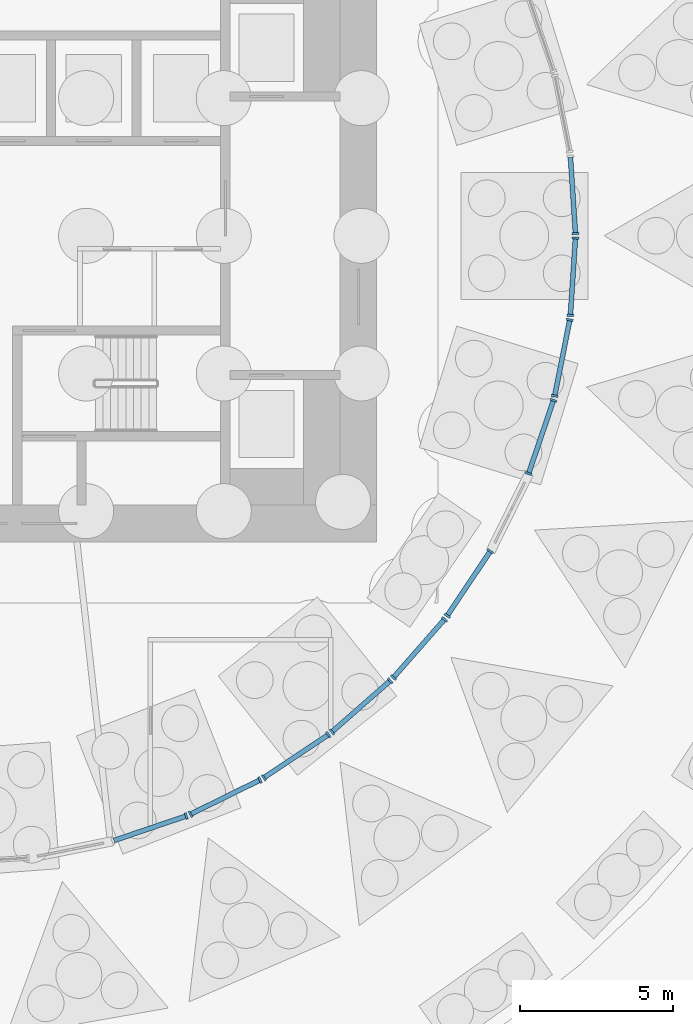
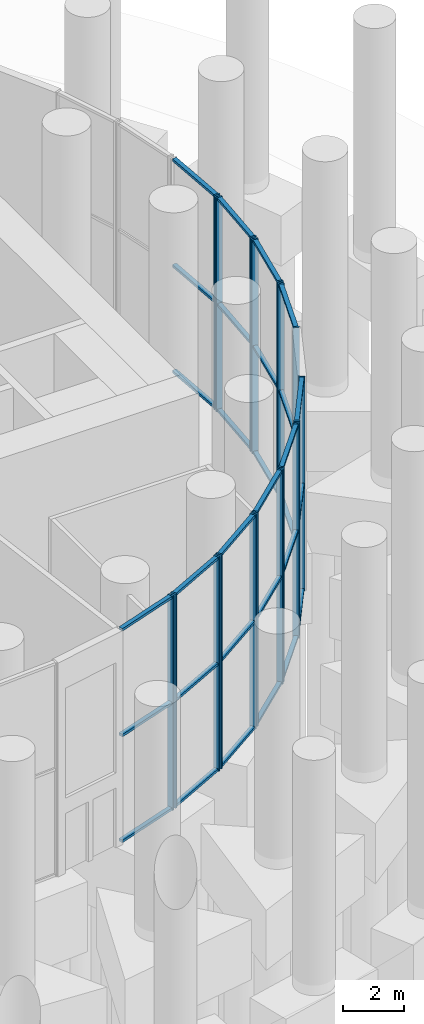
# One storey, part 7 of 20: 48 members, 10 elements without a shape of their own.
"""IFC4 building model written with IfcOpenShell, lengths in metres."""

import ifcopenshell
import ifcopenshell.guid

model = None  # the IFC model being written
_history = None  # IfcOwnerHistory: only IFC2X3 demands one
_inside = {}  # id of a spatial element -> (the spatial element, [elements in it])
_under = {}  # id of a project, library or spatial element -> (it, [spatial elements below it])
_declared = {}  # id of a project -> (the project, [libraries it declares])
_typed = {}  # id of a type object -> (the type object, [elements of that type])
_made_of = {}  # id of a material, layer set ... -> (it, [elements and type objects made of it])


def new_model(schema):
    """Start an empty IFC model of exactly this schema.

    Asked for "IFC4X3", IfcOpenShell would pick the latest addendum, in which some entities
    have other attributes; the version numbers below select the first issue.
    IFC2X3 requires an IfcOwnerHistory on every rooted entity: one is made here for all.
    """
    global model, _history
    if schema == "IFC4X3":
        model = ifcopenshell.file(schema_version=(4, 3, 0, 0))
    else:
        model = ifcopenshell.file(schema=schema)
    _inside.clear()
    _under.clear()
    _declared.clear()
    _typed.clear()
    _made_of.clear()
    _history = None
    if model.schema == "IFC2X3":
        org = make("IfcOrganization", Name="unknown")
        user = make(
            "IfcPersonAndOrganization",
            ThePerson=make("IfcPerson", FamilyName="unknown"),
            TheOrganization=org,
        )
        app = make(
            "IfcApplication",
            ApplicationDeveloper=org,
            Version="unknown",
            ApplicationFullName="unknown",
            ApplicationIdentifier="unknown",
        )
        _history = make(
            "IfcOwnerHistory",
            OwningUser=user,
            OwningApplication=app,
            ChangeAction="ADDED",
            CreationDate=0,
        )
    return model


def make(cls, **values):
    """One entity of the class cls with the attributes given. An attribute that is None is left unset."""
    return model.create_entity(
        cls, **{name: value for name, value in values.items() if value is not None}
    )


def rooted(cls, **values):
    """An entity with a GlobalId (a new one), such as an element, a storey or a relation."""
    return make(cls, GlobalId=ifcopenshell.guid.new(), OwnerHistory=_history, **values)


def si_unit(unit_type, name, prefix=None):
    """IfcSIUnit, for example si_unit("LENGTHUNIT", "METRE", prefix="MILLI")."""
    return make("IfcSIUnit", UnitType=unit_type, Prefix=prefix, Name=name)


def assignment(units):
    """IfcUnitAssignment: the units of a project."""
    return None if units is None else make("IfcUnitAssignment", Units=units)


def point(xyz):
    """IfcCartesianPoint."""
    return None if xyz is None else make("IfcCartesianPoint", Coordinates=xyz)


def direction(xyz):
    """IfcDirection."""
    return None if xyz is None else make("IfcDirection", DirectionRatios=xyz)


def frame(location, z_axis=None, x_axis=None):
    """IfcAxis2Placement3D, a coordinate frame: its origin and axes. An axis left out is left unset."""
    return make(
        "IfcAxis2Placement3D",
        Location=point(location),
        Axis=direction(z_axis),
        RefDirection=direction(x_axis),
    )


def frame_2d(location, x_axis=None):
    """IfcAxis2Placement2D, a coordinate frame in the plane: its origin and x axis."""
    return make(
        "IfcAxis2Placement2D", Location=point(location), RefDirection=direction(x_axis)
    )


def origin():
    """The frame at (0, 0, 0) with its axes left unset."""
    return frame((0.0, 0.0, 0.0))


def origin_2d():
    """The frame at (0, 0) in the plane with its x axis left unset."""
    return frame_2d((0.0, 0.0))


def place(relative_to, where):
    """IfcLocalPlacement: puts the frame where relative to a parent placement (None: the world)."""
    return make(
        "IfcLocalPlacement", PlacementRelTo=relative_to, RelativePlacement=where
    )


def context(
    kind, dimensions, precision=None, world=None, true_north=None, identifier=None
):
    """IfcGeometricRepresentationContext, for example the 3D "Model" context."""
    return make(
        "IfcGeometricRepresentationContext",
        ContextIdentifier=identifier,
        ContextType=kind,
        CoordinateSpaceDimension=dimensions,
        Precision=precision,
        WorldCoordinateSystem=world,
        TrueNorth=true_north,
    )


def subcontext(parent, identifier, kind, view, scale=None):
    """IfcGeometricRepresentationSubContext, for example "Body" below "Model"."""
    return make(
        "IfcGeometricRepresentationSubContext",
        ContextIdentifier=identifier,
        ContextType=kind,
        ParentContext=parent,
        TargetScale=scale,
        TargetView=view,
    )


def project(units=None, contexts=None):
    """IfcProject with its units and contexts."""
    return rooted(
        "IfcProject",
        Name="project",
        RepresentationContexts=contexts,
        UnitsInContext=assignment(units),
    )


def spatial(cls, under=None, at=None, **own):
    """A site, building, storey or space (cls), placed at a placement, below another one or the project."""
    s = rooted(cls, ObjectPlacement=at, **own)
    if under is not None:
        _under.setdefault(under.id(), (under, []))[1].append(s)
    return s


def profile(cls, at=None, kind="AREA", **sizes):
    """A parametric profile (cls). Its sizes go by their IFC names, for example OverallWidth=200.0."""
    return make(cls, ProfileType=kind, Position=at, **sizes)


def rectangle(**sizes):
    """IfcRectangleProfileDef."""
    return profile("IfcRectangleProfileDef", **sizes)


def extrude(swept, where, along, depth):
    """IfcExtrudedAreaSolid: the profile swept, set in the frame where, extruded along a direction by depth."""
    return make(
        "IfcExtrudedAreaSolid",
        SweptArea=swept,
        Position=where,
        ExtrudedDirection=direction(along),
        Depth=depth,
    )


def shape(context_of_items, identifier, shape_type, items):
    """IfcShapeRepresentation: the items that make up one representation, for example the "Body"."""
    return make(
        "IfcShapeRepresentation",
        ContextOfItems=context_of_items,
        RepresentationIdentifier=identifier,
        RepresentationType=shape_type,
        Items=items,
    )


def material(Name=None, Category=None):
    """IfcMaterial."""
    return make("IfcMaterial", Name=Name, Category=Category)


def material_profile(
    of_material, cross_section, Name=None, Category=None, Priority=None
):
    """IfcMaterialProfile: a cross section and its material."""
    return make(
        "IfcMaterialProfile",
        Name=Name,
        Material=of_material,
        Profile=cross_section,
        Priority=Priority,
        Category=Category,
    )


def profile_set(profiles, Name=None, composite=None):
    """IfcMaterialProfileSet."""
    return make(
        "IfcMaterialProfileSet",
        Name=Name,
        MaterialProfiles=profiles,
        CompositeProfile=composite,
    )


def made_of(thing, what):
    """Note that an element or type object is made of a material, layer set ...; save() writes the relation."""
    if what is not None:
        _made_of.setdefault(what.id(), (what, []))[1].append(thing)
    return thing


def type_object(cls, material=None, **own):
    """A type object (cls), such as IfcWallType, which elements share."""
    return made_of(rooted(cls, **own), material)


def element(
    cls,
    number,
    at=None,
    inside=None,
    cuts=None,
    type_object=None,
    material=None,
    context=None,
    identifier="Body",
    shape_type=None,
    held_by="IfcProductDefinitionShape",
    body=None,
    shapes=None,
    **own,
):
    """One element of the class cls, such as IfcWall. Its Tag is "e" and its number.

    at: its placement. inside: the storey or other place that contains it. cuts: it is an
    opening in that element (IfcRelVoidsElement). A single representation is given by context,
    identifier, shape_type and body (its items); several are given by shapes. held_by: the class
    of the entity that holds the representations. save() writes the other relations.
    """
    e = rooted(cls, Tag="e%d" % number, ObjectPlacement=at, **own)
    if body is not None:
        shapes = [shape(context, identifier, shape_type, body)]
    if shapes is not None:
        e.Representation = make(held_by, Representations=shapes)
    if inside is not None:
        _inside.setdefault(inside.id(), (inside, []))[1].append(e)
    if cuts is not None:
        rooted(
            "IfcRelVoidsElement", RelatingBuildingElement=cuts, RelatedOpeningElement=e
        )
    if type_object is not None:
        _typed.setdefault(type_object.id(), (type_object, []))[1].append(e)
    return made_of(e, material)


def aggregate(whole, parts):
    """IfcRelAggregates: a whole, such as a stair, and the parts it consists of."""
    return rooted("IfcRelAggregates", RelatingObject=whole, RelatedObjects=parts)


def save(model, path):
    """Write the relations noted so far, then the file.

    IfcRelAggregates (storeys below a building ...), IfcRelContainedInSpatialStructure (elements
    in a storey), IfcRelDefinesByType, IfcRelAssociatesMaterial and IfcRelDeclares: one each for
    every whole, place, type object, material and project.
    """
    for whole, parts in _under.values():
        aggregate(whole, parts)
    for where, things in _inside.values():
        rooted(
            "IfcRelContainedInSpatialStructure",
            RelatedElements=things,
            RelatingStructure=where,
        )
    for kind, things in _typed.values():
        rooted("IfcRelDefinesByType", RelatedObjects=things, RelatingType=kind)
    for what, things in _made_of.values():
        rooted("IfcRelAssociatesMaterial", RelatedObjects=things, RelatingMaterial=what)
    for by, libraries in _declared.values():
        rooted("IfcRelDeclares", RelatingContext=by, RelatedDefinitions=libraries)
    model.write(path)


model = new_model("IFC4")

# Units and contexts
model_context = context("Model", 3, precision=1e-05, world=origin(), true_north=direction((0.0, 1.0)))
body_context = subcontext(model_context, "Body", "Model", "MODEL_VIEW")
ifc_project = project(units=[si_unit("LENGTHUNIT", "METRE"), si_unit("AREAUNIT", "SQUARE_METRE"), si_unit("VOLUMEUNIT", "CUBIC_METRE"), si_unit("PLANEANGLEUNIT", "RADIAN"), si_unit("MASSUNIT", "GRAM", prefix="KILO")], contexts=[model_context])

# Site, building, storey
site_placement = place(None, origin())
site = spatial("IfcSite", under=ifc_project, at=site_placement, CompositionType="ELEMENT")
building_placement = place(site_placement, origin())
building = spatial("IfcBuilding", under=site, at=building_placement, Name="Tracery Tower", CompositionType="ELEMENT")
storey_placement = place(building_placement, origin())
storey = spatial("IfcBuildingStorey", under=building, at=storey_placement, Name="L00", CompositionType="ELEMENT", Elevation=0.0)

# Curtain wall, member
ifc_material_1 = material(Name="Aluminium curtain wall with tinted glass", Category="aluminium")
curtain_wall_type = type_object("IfcCurtainWallType", Name="Pavilion storefront curtain wall", PredefinedType="NOTDEFINED", material=ifc_material_1)
curtain_wall_1_placement = place(storey_placement, origin())
curtain_wall_1 = element("IfcCurtainWall", 1, at=curtain_wall_1_placement, inside=storey, type_object=curtain_wall_type, Name="Pavilion storefront run 00", PredefinedType="NOTDEFINED")
ifc_material_2 = material(Name="Aluminium, bronze anodised", Category="aluminium")
ifc_material_profile_1 = material_profile(ifc_material_2, rectangle(XDim=0.219970703125, YDim=0.070068359375, at=origin_2d()), Name="Pavilion storefront mullion 70 x 220")
ifc_profile_set_1 = profile_set([ifc_material_profile_1], Name="Aluminium, bronze anodised")
member_type_1 = type_object("IfcMemberType", Name="Pavilion storefront mullion 70 x 220", PredefinedType="MULLION", material=ifc_profile_set_1)
member_1_placement = place(storey_placement, frame((20.4951171875, 0.07470703125, 0.0), z_axis=(0.0, 0.0, 1.0), x_axis=(-0.997857689569, -0.065421948674, 0.0)))
member_1 = element("IfcMember", 2, at=member_1_placement, type_object=member_type_1, Name="CWB1 mullion 1", PredefinedType="MULLION", context=body_context, shape_type="SweptSolid", body=[
    extrude(rectangle(XDim=0.219970703125, YDim=0.070068359375, at=origin_2d()), origin(), (0.0, 0.0, 1.0), 8.550048828125),
])

curtain_wall_2_placement = place(storey_placement, origin())
curtain_wall_2 = element("IfcCurtainWall", 3, at=curtain_wall_2_placement, inside=storey, type_object=curtain_wall_type, Name="Pavilion storefront run 38", PredefinedType="NOTDEFINED")
member_2_placement = place(storey_placement, frame((7.77392578125, -18.963623046875, 0.0), z_axis=(0.0, 0.0, 1.0), x_axis=(-0.32143545964, 0.946931489225, 0.0)))
member_2 = element("IfcMember", 4, at=member_2_placement, type_object=member_type_1, Name="CWB1 mullion 2", PredefinedType="MULLION", context=body_context, shape_type="SweptSolid", body=[
    extrude(rectangle(XDim=0.219970703125, YDim=0.070068359375, at=origin_2d()), origin(), (0.0, 0.0, 1.0), 8.550048828125),
])

# Curtain wall, members
curtain_wall_3_placement = place(storey_placement, origin())
curtain_wall_3 = element("IfcCurtainWall", 5, at=curtain_wall_3_placement, inside=storey, type_object=curtain_wall_type, Name="Pavilion storefront run 39", PredefinedType="NOTDEFINED")
member_3_placement = place(storey_placement, frame((7.912353515625, -18.90625, 0.0), z_axis=(0.0, 0.0, 1.0), x_axis=(-0.442286554251, 0.896873794872, 0.0)))
member_3 = element("IfcMember", 6, at=member_3_placement, type_object=member_type_1, Name="CWB1 mullion 1", PredefinedType="MULLION", context=body_context, shape_type="SweptSolid", body=[
    extrude(rectangle(XDim=0.219970703125, YDim=0.070068359375, at=origin_2d()), origin(), (0.0, 0.0, 1.0), 8.550048828125),
])
member_4_placement = place(storey_placement, frame((10.1826171875, -17.78662109375, 0.0), z_axis=(0.0, 0.0, 1.0), x_axis=(-0.442286554251, 0.896873794872, 0.0)))
member_4 = element("IfcMember", 7, at=member_4_placement, type_object=member_type_1, Name="CWB1 mullion 2", PredefinedType="MULLION", context=body_context, shape_type="SweptSolid", body=[
    extrude(rectangle(XDim=0.219970703125, YDim=0.070068359375, at=origin_2d()), origin(), (0.0, 0.0, 1.0), 8.550048828125),
])

curtain_wall_4_placement = place(storey_placement, origin())
curtain_wall_4 = element("IfcCurtainWall", 8, at=curtain_wall_4_placement, inside=storey, type_object=curtain_wall_type, Name="Pavilion storefront run 40", PredefinedType="NOTDEFINED")
member_5_placement = place(storey_placement, frame((10.3125, -17.7119140625, 0.0), z_axis=(0.0, 0.0, 1.0), x_axis=(-0.555560344148, 0.83147621975, 0.0)))
member_5 = element("IfcMember", 9, at=member_5_placement, type_object=member_type_1, Name="CWB1 mullion 1", PredefinedType="MULLION", context=body_context, shape_type="SweptSolid", body=[
    extrude(rectangle(XDim=0.219970703125, YDim=0.070068359375, at=origin_2d()), origin(), (0.0, 0.0, 1.0), 8.550048828125),
])
member_6_placement = place(storey_placement, frame((12.417236328125, -16.305419921875, 0.0), z_axis=(0.0, 0.0, 1.0), x_axis=(-0.555560344148, 0.83147621975, 0.0)))
member_6 = element("IfcMember", 10, at=member_6_placement, type_object=member_type_1, Name="CWB1 mullion 2", PredefinedType="MULLION", context=body_context, shape_type="SweptSolid", body=[
    extrude(rectangle(XDim=0.219970703125, YDim=0.070068359375, at=origin_2d()), origin(), (0.0, 0.0, 1.0), 8.550048828125),
])

curtain_wall_5_placement = place(storey_placement, origin())
curtain_wall_5 = element("IfcCurtainWall", 11, at=curtain_wall_5_placement, inside=storey, type_object=curtain_wall_type, Name="Pavilion storefront run 41", PredefinedType="NOTDEFINED")
member_7_placement = place(storey_placement, frame((12.5361328125, -16.21435546875, 0.0), z_axis=(0.0, 0.0, 1.0), x_axis=(-0.659350537973, 0.751835665604, 0.0)))
member_7 = element("IfcMember", 12, at=member_7_placement, type_object=member_type_1, Name="CWB1 mullion 1", PredefinedType="MULLION", context=body_context, shape_type="SweptSolid", body=[
    extrude(rectangle(XDim=0.219970703125, YDim=0.070068359375, at=origin_2d()), origin(), (0.0, 0.0, 1.0), 8.550048828125),
])
member_8_placement = place(storey_placement, frame((14.439208984375, -14.545166015625, 0.0), z_axis=(0.0, 0.0, 1.0), x_axis=(-0.659350537973, 0.751835665604, 0.0)))
member_8 = element("IfcMember", 13, at=member_8_placement, type_object=member_type_1, Name="CWB1 mullion 2", PredefinedType="MULLION", context=body_context, shape_type="SweptSolid", body=[
    extrude(rectangle(XDim=0.219970703125, YDim=0.070068359375, at=origin_2d()), origin(), (0.0, 0.0, 1.0), 8.550048828125),
])

curtain_wall_6_placement = place(storey_placement, origin())
curtain_wall_6 = element("IfcCurtainWall", 14, at=curtain_wall_6_placement, inside=storey, type_object=curtain_wall_type, Name="Pavilion storefront run 42", PredefinedType="NOTDEFINED")
member_9_placement = place(storey_placement, frame((14.545166015625, -14.439208984375, 0.0), z_axis=(0.0, 0.0, 1.0), x_axis=(-0.751835665604, 0.659350537973, 0.0)))
member_9 = element("IfcMember", 15, at=member_9_placement, type_object=member_type_1, Name="CWB1 mullion 1", PredefinedType="MULLION", context=body_context, shape_type="SweptSolid", body=[
    extrude(rectangle(XDim=0.219970703125, YDim=0.070068359375, at=origin_2d()), origin(), (0.0, 0.0, 1.0), 8.550048828125),
])
member_10_placement = place(storey_placement, frame((16.21435546875, -12.5361328125, 0.0), z_axis=(0.0, 0.0, 1.0), x_axis=(-0.751835665604, 0.659350537973, 0.0)))
member_10 = element("IfcMember", 16, at=member_10_placement, type_object=member_type_1, Name="CWB1 mullion 2", PredefinedType="MULLION", context=body_context, shape_type="SweptSolid", body=[
    extrude(rectangle(XDim=0.219970703125, YDim=0.070068359375, at=origin_2d()), origin(), (0.0, 0.0, 1.0), 8.550048828125),
])

curtain_wall_7_placement = place(storey_placement, origin())
curtain_wall_7 = element("IfcCurtainWall", 17, at=curtain_wall_7_placement, inside=storey, type_object=curtain_wall_type, Name="Pavilion storefront run 43", PredefinedType="NOTDEFINED")
member_11_placement = place(storey_placement, frame((16.305419921875, -12.417236328125, 0.0), z_axis=(0.0, 0.0, 1.0), x_axis=(-0.83147621975, 0.555560344148, 0.0)))
member_11 = element("IfcMember", 18, at=member_11_placement, type_object=member_type_1, Name="CWB1 mullion 1", PredefinedType="MULLION", context=body_context, shape_type="SweptSolid", body=[
    extrude(rectangle(XDim=0.219970703125, YDim=0.070068359375, at=origin_2d()), origin(), (0.0, 0.0, 1.0), 8.550048828125),
])
member_12_placement = place(storey_placement, frame((17.7119140625, -10.3125, 0.0), z_axis=(0.0, 0.0, 1.0), x_axis=(-0.83147621975, 0.555560344148, 0.0)))
member_12 = element("IfcMember", 19, at=member_12_placement, type_object=member_type_1, Name="CWB1 mullion 2", PredefinedType="MULLION", context=body_context, shape_type="SweptSolid", body=[
    extrude(rectangle(XDim=0.219970703125, YDim=0.070068359375, at=origin_2d()), origin(), (0.0, 0.0, 1.0), 8.550048828125),
])

curtain_wall_8_placement = place(storey_placement, origin())
curtain_wall_8 = element("IfcCurtainWall", 20, at=curtain_wall_8_placement, inside=storey, type_object=curtain_wall_type, Name="Pavilion storefront run 45", PredefinedType="NOTDEFINED")
member_13_placement = place(storey_placement, frame((18.963623046875, -7.77392578125, 0.0), z_axis=(0.0, 0.0, 1.0), x_axis=(-0.946931489225, 0.32143545964, 0.0)))
member_13 = element("IfcMember", 21, at=member_13_placement, type_object=member_type_1, Name="CWB1 mullion 1", PredefinedType="MULLION", context=body_context, shape_type="SweptSolid", body=[
    extrude(rectangle(XDim=0.219970703125, YDim=0.070068359375, at=origin_2d()), origin(), (0.0, 0.0, 1.0), 8.550048828125),
])
member_14_placement = place(storey_placement, frame((19.77734375, -5.376953125, 0.0), z_axis=(0.0, 0.0, 1.0), x_axis=(-0.946931489225, 0.32143545964, 0.0)))
member_14 = element("IfcMember", 22, at=member_14_placement, type_object=member_type_1, Name="CWB1 mullion 2", PredefinedType="MULLION", context=body_context, shape_type="SweptSolid", body=[
    extrude(rectangle(XDim=0.219970703125, YDim=0.070068359375, at=origin_2d()), origin(), (0.0, 0.0, 1.0), 8.550048828125),
])

curtain_wall_9_placement = place(storey_placement, origin())
curtain_wall_9 = element("IfcCurtainWall", 23, at=curtain_wall_9_placement, inside=storey, type_object=curtain_wall_type, Name="Pavilion storefront run 46", PredefinedType="NOTDEFINED")
member_15_placement = place(storey_placement, frame((19.816162109375, -5.232177734375, 0.0), z_axis=(0.0, 0.0, 1.0), x_axis=(-0.980788574976, 0.195073758352, 0.0)))
member_15 = element("IfcMember", 24, at=member_15_placement, type_object=member_type_1, Name="CWB1 mullion 1", PredefinedType="MULLION", context=body_context, shape_type="SweptSolid", body=[
    extrude(rectangle(XDim=0.219970703125, YDim=0.070068359375, at=origin_2d()), origin(), (0.0, 0.0, 1.0), 8.550048828125),
])
member_16_placement = place(storey_placement, frame((20.31005859375, -2.749267578125, 0.0), z_axis=(0.0, 0.0, 1.0), x_axis=(-0.980788574976, 0.195073758352, 0.0)))
member_16 = element("IfcMember", 25, at=member_16_placement, type_object=member_type_1, Name="CWB1 mullion 2", PredefinedType="MULLION", context=body_context, shape_type="SweptSolid", body=[
    extrude(rectangle(XDim=0.219970703125, YDim=0.070068359375, at=origin_2d()), origin(), (0.0, 0.0, 1.0), 8.550048828125),
])

curtain_wall_10_placement = place(storey_placement, origin())
curtain_wall_10 = element("IfcCurtainWall", 26, at=curtain_wall_10_placement, inside=storey, type_object=curtain_wall_type, Name="Pavilion storefront run 47", PredefinedType="NOTDEFINED")
member_17_placement = place(storey_placement, frame((20.32958984375, -2.60107421875, 0.0), z_axis=(0.0, 0.0, 1.0), x_axis=(-0.997857689569, 0.065421948674, 0.0)))
member_17 = element("IfcMember", 27, at=member_17_placement, type_object=member_type_1, Name="CWB1 mullion 1", PredefinedType="MULLION", context=body_context, shape_type="SweptSolid", body=[
    extrude(rectangle(XDim=0.219970703125, YDim=0.070068359375, at=origin_2d()), origin(), (0.0, 0.0, 1.0), 8.550048828125),
])
member_18_placement = place(storey_placement, frame((20.4951171875, -0.07470703125, 0.0), z_axis=(0.0, 0.0, 1.0), x_axis=(-0.997857689569, 0.065421948674, 0.0)))
member_18 = element("IfcMember", 28, at=member_18_placement, type_object=member_type_1, Name="CWB1 mullion 2", PredefinedType="MULLION", context=body_context, shape_type="SweptSolid", body=[
    extrude(rectangle(XDim=0.219970703125, YDim=0.070068359375, at=origin_2d()), origin(), (0.0, 0.0, 1.0), 8.550048828125),
])

# Member
ifc_material_3 = material(Name="Aluminium, bronze anodised", Category="aluminium")
ifc_material_profile_2 = material_profile(ifc_material_3, rectangle(XDim=0.159912109375, YDim=0.10009765625, at=origin_2d()), Name="Pavilion storefront transom 100 x 160")
ifc_profile_set_2 = profile_set([ifc_material_profile_2], Name="Aluminium, bronze anodised")
member_type_2 = type_object("IfcMemberType", Name="Pavilion storefront transom 100 x 160", PredefinedType="USERDEFINED", material=ifc_profile_set_2)
member_19_placement = place(storey_placement, frame((20.492919921875, 0.10986328125, 0.050048828125), z_axis=(-0.065459145721, 0.997855250145, 0.0), x_axis=(-0.997855250145, -0.065459145721, 0.0)))
member_19 = element("IfcMember", 29, at=member_19_placement, type_object=member_type_2, Name="CWB1 transom 1.1", ObjectType="TRANSOM", PredefinedType="USERDEFINED", context=body_context, shape_type="SweptSolid", body=[
    extrude(rectangle(XDim=0.159912109375, YDim=0.10009765625, at=origin_2d()), origin(), (0.0, 0.0, 1.0), 2.461669921875),
])

member_20_placement = place(storey_placement, frame((20.492919921875, 0.10986328125, 4.27490234375), z_axis=(-0.065459145721, 0.997855250145, 0.0), x_axis=(-0.997855250145, -0.065459145721, 0.0)))
member_20 = element("IfcMember", 30, at=member_20_placement, type_object=member_type_2, Name="CWB1 transom 1.2", ObjectType="TRANSOM", PredefinedType="USERDEFINED", context=body_context, shape_type="SweptSolid", body=[
    extrude(rectangle(XDim=0.159912109375, YDim=0.10009765625, at=origin_2d()), origin(), (0.0, 0.0, 1.0), 2.461669921875),
])

member_21_placement = place(storey_placement, frame((20.492919921875, 0.10986328125, 8.5), z_axis=(-0.065459145721, 0.997855250145, 0.0), x_axis=(-0.997855250145, -0.065459145721, 0.0)))
member_21 = element("IfcMember", 31, at=member_21_placement, type_object=member_type_2, Name="CWB1 transom 1.3", ObjectType="TRANSOM", PredefinedType="USERDEFINED", context=body_context, shape_type="SweptSolid", body=[
    extrude(rectangle(XDim=0.159912109375, YDim=0.10009765625, at=origin_2d()), origin(), (0.0, 0.0, 1.0), 2.461669921875),
])

aggregate(curtain_wall_1, [member_1, member_19, member_20, member_21])

member_22_placement = place(storey_placement, frame((5.409912109375, -19.76611328125, 0.050048828125), z_axis=(0.946923179789, 0.32145993775, 0.0), x_axis=(-0.32145993775, 0.946923179789, 0.0)))
member_22 = element("IfcMember", 32, at=member_22_placement, type_object=member_type_2, Name="CWB1 transom 1.1", ObjectType="TRANSOM", PredefinedType="USERDEFINED", context=body_context, shape_type="SweptSolid", body=[
    extrude(rectangle(XDim=0.159912109375, YDim=0.10009765625, at=origin_2d()), origin(), (0.0, 0.0, 1.0), 2.46142578125),
])

member_23_placement = place(storey_placement, frame((5.409912109375, -19.76611328125, 4.27490234375), z_axis=(0.946923179789, 0.32145993775, 0.0), x_axis=(-0.32145993775, 0.946923179789, 0.0)))
member_23 = element("IfcMember", 33, at=member_23_placement, type_object=member_type_2, Name="CWB1 transom 1.2", ObjectType="TRANSOM", PredefinedType="USERDEFINED", context=body_context, shape_type="SweptSolid", body=[
    extrude(rectangle(XDim=0.159912109375, YDim=0.10009765625, at=origin_2d()), origin(), (0.0, 0.0, 1.0), 2.46142578125),
])

member_24_placement = place(storey_placement, frame((5.409912109375, -19.76611328125, 8.5), z_axis=(0.946923179789, 0.32145993775, 0.0), x_axis=(-0.32145993775, 0.946923179789, 0.0)))
member_24 = element("IfcMember", 34, at=member_24_placement, type_object=member_type_2, Name="CWB1 transom 1.3", ObjectType="TRANSOM", PredefinedType="USERDEFINED", context=body_context, shape_type="SweptSolid", body=[
    extrude(rectangle(XDim=0.159912109375, YDim=0.10009765625, at=origin_2d()), origin(), (0.0, 0.0, 1.0), 2.46142578125),
])

aggregate(curtain_wall_2, [member_2, member_22, member_23, member_24])

member_25_placement = place(storey_placement, frame((7.943603515625, -18.890869140625, 0.050048828125), z_axis=(0.896892966216, 0.442247676253, 0.0), x_axis=(-0.442247676253, 0.896892966216, 0.0)))
member_25 = element("IfcMember", 35, at=member_25_placement, type_object=member_type_2, Name="CWB1 transom 1.1", ObjectType="TRANSOM", PredefinedType="USERDEFINED", context=body_context, shape_type="SweptSolid", body=[
    extrude(rectangle(XDim=0.159912109375, YDim=0.10009765625, at=origin_2d()), origin(), (0.0, 0.0, 1.0), 2.461669921875),
])

member_26_placement = place(storey_placement, frame((7.943603515625, -18.890869140625, 4.27490234375), z_axis=(0.896892966216, 0.442247676253, 0.0), x_axis=(-0.442247676253, 0.896892966216, 0.0)))
member_26 = element("IfcMember", 36, at=member_26_placement, type_object=member_type_2, Name="CWB1 transom 1.2", ObjectType="TRANSOM", PredefinedType="USERDEFINED", context=body_context, shape_type="SweptSolid", body=[
    extrude(rectangle(XDim=0.159912109375, YDim=0.10009765625, at=origin_2d()), origin(), (0.0, 0.0, 1.0), 2.461669921875),
])

member_27_placement = place(storey_placement, frame((7.943603515625, -18.890869140625, 8.5), z_axis=(0.896892966216, 0.442247676253, 0.0), x_axis=(-0.442247676253, 0.896892966216, 0.0)))
member_27 = element("IfcMember", 37, at=member_27_placement, type_object=member_type_2, Name="CWB1 transom 1.3", ObjectType="TRANSOM", PredefinedType="USERDEFINED", context=body_context, shape_type="SweptSolid", body=[
    extrude(rectangle(XDim=0.159912109375, YDim=0.10009765625, at=origin_2d()), origin(), (0.0, 0.0, 1.0), 2.461669921875),
])

aggregate(curtain_wall_3, [member_3, member_4, member_25, member_26, member_27])

member_28_placement = place(storey_placement, frame((10.341552734375, -17.6923828125, 0.050048828125), z_axis=(0.831485259968, 0.555546813919, 0.0), x_axis=(-0.555546813919, 0.831485259968, 0.0)))
member_28 = element("IfcMember", 38, at=member_28_placement, type_object=member_type_2, Name="CWB1 transom 1.1", ObjectType="TRANSOM", PredefinedType="USERDEFINED", context=body_context, shape_type="SweptSolid", body=[
    extrude(rectangle(XDim=0.159912109375, YDim=0.10009765625, at=origin_2d()), origin(), (0.0, 0.0, 1.0), 2.46142578125),
])

member_29_placement = place(storey_placement, frame((10.341552734375, -17.6923828125, 4.27490234375), z_axis=(0.831485259968, 0.555546813919, 0.0), x_axis=(-0.555546813919, 0.831485259968, 0.0)))
member_29 = element("IfcMember", 39, at=member_29_placement, type_object=member_type_2, Name="CWB1 transom 1.2", ObjectType="TRANSOM", PredefinedType="USERDEFINED", context=body_context, shape_type="SweptSolid", body=[
    extrude(rectangle(XDim=0.159912109375, YDim=0.10009765625, at=origin_2d()), origin(), (0.0, 0.0, 1.0), 2.46142578125),
])

member_30_placement = place(storey_placement, frame((10.341552734375, -17.6923828125, 8.5), z_axis=(0.831485259968, 0.555546813919, 0.0), x_axis=(-0.555546813919, 0.831485259968, 0.0)))
member_30 = element("IfcMember", 40, at=member_30_placement, type_object=member_type_2, Name="CWB1 transom 1.3", ObjectType="TRANSOM", PredefinedType="USERDEFINED", context=body_context, shape_type="SweptSolid", body=[
    extrude(rectangle(XDim=0.159912109375, YDim=0.10009765625, at=origin_2d()), origin(), (0.0, 0.0, 1.0), 2.46142578125),
])

aggregate(curtain_wall_4, [member_5, member_6, member_28, member_29, member_30])

member_31_placement = place(storey_placement, frame((12.562255859375, -16.191162109375, 0.050048828125), z_axis=(0.751906600581, 0.659269644382, 0.0), x_axis=(-0.659269644382, 0.751906600581, 0.0)))
member_31 = element("IfcMember", 41, at=member_31_placement, type_object=member_type_2, Name="CWB1 transom 1.1", ObjectType="TRANSOM", PredefinedType="USERDEFINED", context=body_context, shape_type="SweptSolid", body=[
    extrude(rectangle(XDim=0.159912109375, YDim=0.10009765625, at=origin_2d()), origin(), (0.0, 0.0, 1.0), 2.46142578125),
])

member_32_placement = place(storey_placement, frame((12.562255859375, -16.191162109375, 4.27490234375), z_axis=(0.751906600581, 0.659269644382, 0.0), x_axis=(-0.659269644382, 0.751906600581, 0.0)))
member_32 = element("IfcMember", 42, at=member_32_placement, type_object=member_type_2, Name="CWB1 transom 1.2", ObjectType="TRANSOM", PredefinedType="USERDEFINED", context=body_context, shape_type="SweptSolid", body=[
    extrude(rectangle(XDim=0.159912109375, YDim=0.10009765625, at=origin_2d()), origin(), (0.0, 0.0, 1.0), 2.46142578125),
])

member_33_placement = place(storey_placement, frame((12.562255859375, -16.191162109375, 8.5), z_axis=(0.751906600581, 0.659269644382, 0.0), x_axis=(-0.659269644382, 0.751906600581, 0.0)))
member_33 = element("IfcMember", 43, at=member_33_placement, type_object=member_type_2, Name="CWB1 transom 1.3", ObjectType="TRANSOM", PredefinedType="USERDEFINED", context=body_context, shape_type="SweptSolid", body=[
    extrude(rectangle(XDim=0.159912109375, YDim=0.10009765625, at=origin_2d()), origin(), (0.0, 0.0, 1.0), 2.46142578125),
])

aggregate(curtain_wall_5, [member_7, member_8, member_31, member_32, member_33])

member_34_placement = place(storey_placement, frame((14.568359375, -14.4130859375, 0.050048828125), z_axis=(0.659269644382, 0.751906600581, 0.0), x_axis=(-0.751906600581, 0.659269644382, 0.0)))
member_34 = element("IfcMember", 44, at=member_34_placement, type_object=member_type_2, Name="CWB1 transom 1.1", ObjectType="TRANSOM", PredefinedType="USERDEFINED", context=body_context, shape_type="SweptSolid", body=[
    extrude(rectangle(XDim=0.159912109375, YDim=0.10009765625, at=origin_2d()), origin(), (0.0, 0.0, 1.0), 2.46142578125),
])

member_35_placement = place(storey_placement, frame((14.568359375, -14.4130859375, 4.27490234375), z_axis=(0.659269644382, 0.751906600581, 0.0), x_axis=(-0.751906600581, 0.659269644382, 0.0)))
member_35 = element("IfcMember", 45, at=member_35_placement, type_object=member_type_2, Name="CWB1 transom 1.2", ObjectType="TRANSOM", PredefinedType="USERDEFINED", context=body_context, shape_type="SweptSolid", body=[
    extrude(rectangle(XDim=0.159912109375, YDim=0.10009765625, at=origin_2d()), origin(), (0.0, 0.0, 1.0), 2.46142578125),
])

member_36_placement = place(storey_placement, frame((14.568359375, -14.4130859375, 8.5), z_axis=(0.659269644382, 0.751906600581, 0.0), x_axis=(-0.751906600581, 0.659269644382, 0.0)))
member_36 = element("IfcMember", 46, at=member_36_placement, type_object=member_type_2, Name="CWB1 transom 1.3", ObjectType="TRANSOM", PredefinedType="USERDEFINED", context=body_context, shape_type="SweptSolid", body=[
    extrude(rectangle(XDim=0.159912109375, YDim=0.10009765625, at=origin_2d()), origin(), (0.0, 0.0, 1.0), 2.46142578125),
])

aggregate(curtain_wall_6, [member_9, member_10, member_34, member_35, member_36])

member_37_placement = place(storey_placement, frame((16.324951171875, -12.38818359375, 0.050048828125), z_axis=(0.555546813919, 0.831485259968, 0.0), x_axis=(-0.831485259968, 0.555546813919, 0.0)))
member_37 = element("IfcMember", 47, at=member_37_placement, type_object=member_type_2, Name="CWB1 transom 1.1", ObjectType="TRANSOM", PredefinedType="USERDEFINED", context=body_context, shape_type="SweptSolid", body=[
    extrude(rectangle(XDim=0.159912109375, YDim=0.10009765625, at=origin_2d()), origin(), (0.0, 0.0, 1.0), 2.46142578125),
])

member_38_placement = place(storey_placement, frame((16.324951171875, -12.38818359375, 4.27490234375), z_axis=(0.555546813919, 0.831485259968, 0.0), x_axis=(-0.831485259968, 0.555546813919, 0.0)))
member_38 = element("IfcMember", 48, at=member_38_placement, type_object=member_type_2, Name="CWB1 transom 1.2", ObjectType="TRANSOM", PredefinedType="USERDEFINED", context=body_context, shape_type="SweptSolid", body=[
    extrude(rectangle(XDim=0.159912109375, YDim=0.10009765625, at=origin_2d()), origin(), (0.0, 0.0, 1.0), 2.46142578125),
])

member_39_placement = place(storey_placement, frame((16.324951171875, -12.38818359375, 8.5), z_axis=(0.555546813919, 0.831485259968, 0.0), x_axis=(-0.831485259968, 0.555546813919, 0.0)))
member_39 = element("IfcMember", 49, at=member_39_placement, type_object=member_type_2, Name="CWB1 transom 1.3", ObjectType="TRANSOM", PredefinedType="USERDEFINED", context=body_context, shape_type="SweptSolid", body=[
    extrude(rectangle(XDim=0.159912109375, YDim=0.10009765625, at=origin_2d()), origin(), (0.0, 0.0, 1.0), 2.46142578125),
])

aggregate(curtain_wall_7, [member_11, member_12, member_37, member_38, member_39])

member_40_placement = place(storey_placement, frame((18.974853515625, -7.74072265625, 0.050048828125), z_axis=(0.32145993775, 0.946923179789, 0.0), x_axis=(-0.946923179789, 0.32145993775, 0.0)))
member_40 = element("IfcMember", 50, at=member_40_placement, type_object=member_type_2, Name="CWB1 transom 1.1", ObjectType="TRANSOM", PredefinedType="USERDEFINED", context=body_context, shape_type="SweptSolid", body=[
    extrude(rectangle(XDim=0.159912109375, YDim=0.10009765625, at=origin_2d()), origin(), (0.0, 0.0, 1.0), 2.46142578125),
])

member_41_placement = place(storey_placement, frame((18.974853515625, -7.74072265625, 4.27490234375), z_axis=(0.32145993775, 0.946923179789, 0.0), x_axis=(-0.946923179789, 0.32145993775, 0.0)))
member_41 = element("IfcMember", 51, at=member_41_placement, type_object=member_type_2, Name="CWB1 transom 1.2", ObjectType="TRANSOM", PredefinedType="USERDEFINED", context=body_context, shape_type="SweptSolid", body=[
    extrude(rectangle(XDim=0.159912109375, YDim=0.10009765625, at=origin_2d()), origin(), (0.0, 0.0, 1.0), 2.46142578125),
])

member_42_placement = place(storey_placement, frame((18.974853515625, -7.74072265625, 8.5), z_axis=(0.32145993775, 0.946923179789, 0.0), x_axis=(-0.946923179789, 0.32145993775, 0.0)))
member_42 = element("IfcMember", 52, at=member_42_placement, type_object=member_type_2, Name="CWB1 transom 1.3", ObjectType="TRANSOM", PredefinedType="USERDEFINED", context=body_context, shape_type="SweptSolid", body=[
    extrude(rectangle(XDim=0.159912109375, YDim=0.10009765625, at=origin_2d()), origin(), (0.0, 0.0, 1.0), 2.46142578125),
])

aggregate(curtain_wall_8, [member_13, member_14, member_40, member_41, member_42])

member_43_placement = place(storey_placement, frame((19.822998046875, -5.197998046875, 0.050048828125), z_axis=(0.195086085948, 0.980786123, 0.0), x_axis=(-0.980786123, 0.195086085948, 0.0)))
member_43 = element("IfcMember", 53, at=member_43_placement, type_object=member_type_2, Name="CWB1 transom 1.1", ObjectType="TRANSOM", PredefinedType="USERDEFINED", context=body_context, shape_type="SweptSolid", body=[
    extrude(rectangle(XDim=0.159912109375, YDim=0.10009765625, at=origin_2d()), origin(), (0.0, 0.0, 1.0), 2.461669921875),
])

member_44_placement = place(storey_placement, frame((19.822998046875, -5.197998046875, 4.27490234375), z_axis=(0.195086085948, 0.980786123, 0.0), x_axis=(-0.980786123, 0.195086085948, 0.0)))
member_44 = element("IfcMember", 54, at=member_44_placement, type_object=member_type_2, Name="CWB1 transom 1.2", ObjectType="TRANSOM", PredefinedType="USERDEFINED", context=body_context, shape_type="SweptSolid", body=[
    extrude(rectangle(XDim=0.159912109375, YDim=0.10009765625, at=origin_2d()), origin(), (0.0, 0.0, 1.0), 2.461669921875),
])

member_45_placement = place(storey_placement, frame((19.822998046875, -5.197998046875, 8.5), z_axis=(0.195086085948, 0.980786123, 0.0), x_axis=(-0.980786123, 0.195086085948, 0.0)))
member_45 = element("IfcMember", 55, at=member_45_placement, type_object=member_type_2, Name="CWB1 transom 1.3", ObjectType="TRANSOM", PredefinedType="USERDEFINED", context=body_context, shape_type="SweptSolid", body=[
    extrude(rectangle(XDim=0.159912109375, YDim=0.10009765625, at=origin_2d()), origin(), (0.0, 0.0, 1.0), 2.461669921875),
])

aggregate(curtain_wall_9, [member_15, member_16, member_43, member_44, member_45])

member_46_placement = place(storey_placement, frame((20.331787109375, -2.566162109375, 0.050048828125), z_axis=(0.065459145721, 0.997855250145, 0.0), x_axis=(-0.997855250145, 0.065459145721, 0.0)))
member_46 = element("IfcMember", 56, at=member_46_placement, type_object=member_type_2, Name="CWB1 transom 1.1", ObjectType="TRANSOM", PredefinedType="USERDEFINED", context=body_context, shape_type="SweptSolid", body=[
    extrude(rectangle(XDim=0.159912109375, YDim=0.10009765625, at=origin_2d()), origin(), (0.0, 0.0, 1.0), 2.461669921875),
])

member_47_placement = place(storey_placement, frame((20.331787109375, -2.566162109375, 4.27490234375), z_axis=(0.065459145721, 0.997855250145, 0.0), x_axis=(-0.997855250145, 0.065459145721, 0.0)))
member_47 = element("IfcMember", 57, at=member_47_placement, type_object=member_type_2, Name="CWB1 transom 1.2", ObjectType="TRANSOM", PredefinedType="USERDEFINED", context=body_context, shape_type="SweptSolid", body=[
    extrude(rectangle(XDim=0.159912109375, YDim=0.10009765625, at=origin_2d()), origin(), (0.0, 0.0, 1.0), 2.461669921875),
])

member_48_placement = place(storey_placement, frame((20.331787109375, -2.566162109375, 8.5), z_axis=(0.065459145721, 0.997855250145, 0.0), x_axis=(-0.997855250145, 0.065459145721, 0.0)))
member_48 = element("IfcMember", 58, at=member_48_placement, type_object=member_type_2, Name="CWB1 transom 1.3", ObjectType="TRANSOM", PredefinedType="USERDEFINED", context=body_context, shape_type="SweptSolid", body=[
    extrude(rectangle(XDim=0.159912109375, YDim=0.10009765625, at=origin_2d()), origin(), (0.0, 0.0, 1.0), 2.461669921875),
])

aggregate(curtain_wall_10, [member_17, member_18, member_46, member_47, member_48])

save(model, "model.ifc")
